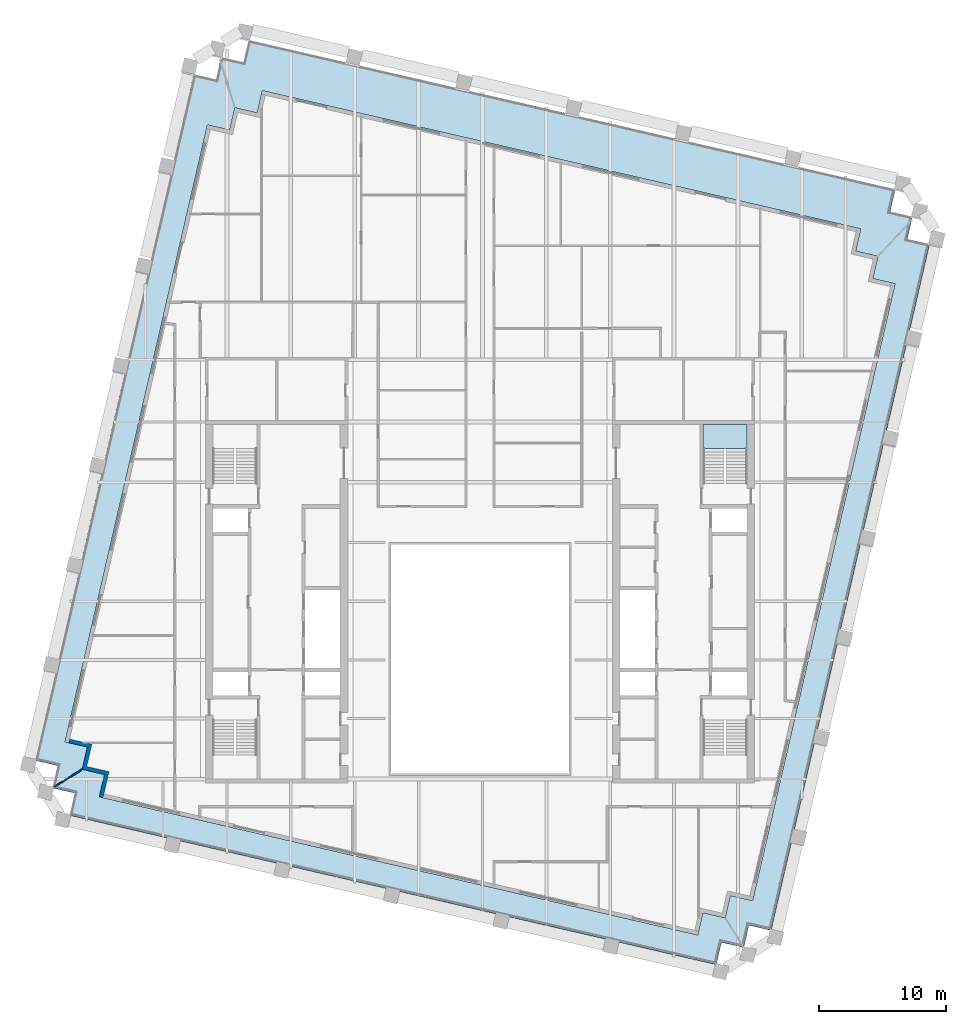
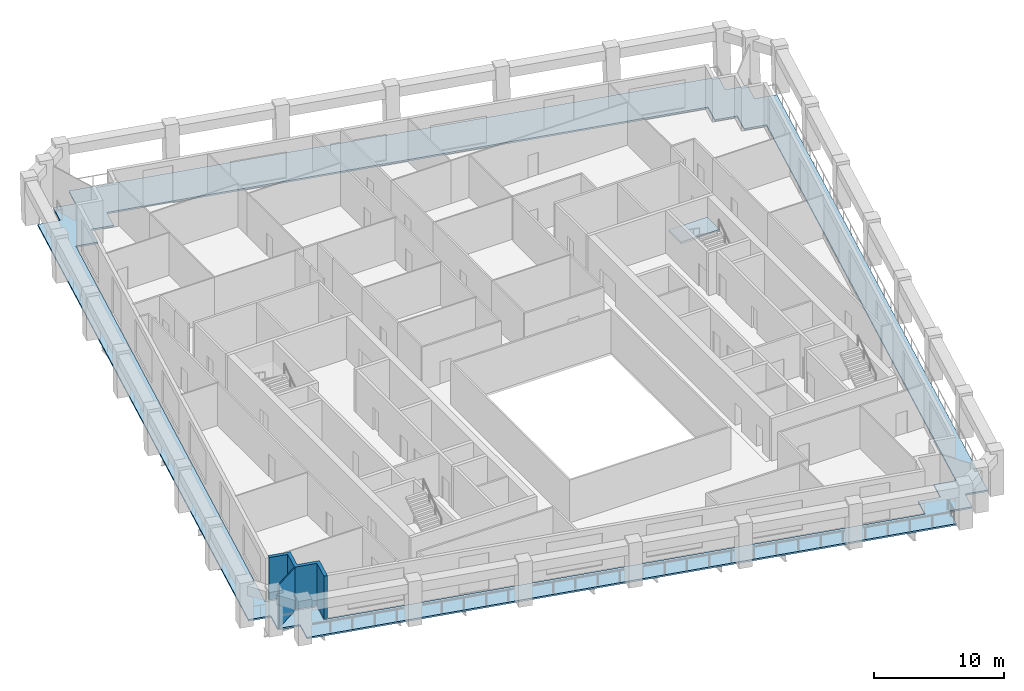
# One storey, part 3 of 10: 2 slabs, 2 walls, 1 element without a shape of its own.
"""IFC4 building model written with IfcOpenShell, lengths in metres."""

from ifc_helpers import new_model, si_unit, direction, frame, frame_2d, origin, place, context, subcontext, project, spatial, polyline, rectangle, outline, extrude, material, layer, layer_set, type_object, element, aggregate, save


model = new_model("IFC4")

# Units and contexts
model_context = context("Model", 3, precision=1e-05, world=origin(), true_north=direction((0.0, 1.0)))
body_context = subcontext(model_context, "Body", "Model", "MODEL_VIEW")
ifc_project = project(units=[si_unit("LENGTHUNIT", "METRE"), si_unit("AREAUNIT", "SQUARE_METRE"), si_unit("VOLUMEUNIT", "CUBIC_METRE"), si_unit("PLANEANGLEUNIT", "RADIAN"), si_unit("MASSUNIT", "GRAM", prefix="KILO")], contexts=[model_context])

# Site, building, storey
site_placement = place(None, origin())
site = spatial("IfcSite", under=ifc_project, at=site_placement, CompositionType="ELEMENT")
building_placement = place(site_placement, origin())
building = spatial("IfcBuilding", under=site, at=building_placement, Name="Ogive Exchange Tower", CompositionType="ELEMENT")
storey_placement = place(building_placement, frame((0.0, 0.0, 255.60009765625)))
storey = spatial("IfcBuildingStorey", under=building, at=storey_placement, Name="L55", CompositionType="ELEMENT", Elevation=255.60009765625)

# Slab
ifc_material_1 = material(Name="Concrete C50/60", Category="concrete")
ifc_layer_1 = layer(ifc_material_1, 0.14990234375)
ifc_layer_set_1 = layer_set([ifc_layer_1], Name="Loggia deck 150")
slab_type_1 = type_object("IfcSlabType", Name="Loggia deck 150", PredefinedType="FLOOR", material=ifc_layer_set_1)
slab_1_placement = place(storey_placement, frame((0.0, 0.0, -0.2001953125)))
element("IfcSlab", 1, at=slab_1_placement, inside=storey, type_object=slab_type_1, Name="Loggia deck", PredefinedType="FLOOR", context=body_context, shape_type="SweptSolid", body=[
    extrude(outline(polyline([(-31.8759765625, -3.54443359375), (-33.6298828125, -3.1396484375), (-33.224853515625, -1.3857421875), (-34.978759765625, -0.980712890625), (-22.5185546875, 52.990478515625), (-20.7646484375, 52.58544921875), (-20.359619140625, 54.33935546875), (-18.605712890625, 53.9345703125), (-18.200927734375, 55.6884765625), (32.6611328125, 43.94580078125), (32.25634765625, 42.192138671875), (34.010009765625, 41.787109375), (33.605224609375, 40.033203125), (35.359130859375, 39.62841796875), (22.89892578125, -14.343017578125), (21.14501953125, -13.93798828125), (20.739990234375, -15.69189453125), (18.986083984375, -15.286865234375), (18.581298828125, -17.040771484375), (-32.28076171875, -5.29833984375), (-31.8759765625, -3.54443359375)]), holes=[polyline([(17.52490234375, -12.9482421875), (19.27880859375, -13.353271484375), (19.68359375, -11.599365234375), (21.4375, -12.004150390625), (32.64013671875, 36.519287109375), (30.88623046875, 36.92431640625), (31.291015625, 38.67822265625), (29.537109375, 39.0830078125), (29.942138671875, 40.8369140625), (-17.119873046875, 51.7021484375), (-17.52490234375, 49.9482421875), (-19.27880859375, 50.353271484375), (-19.68359375, 48.599365234375), (-21.4375, 49.004150390625), (-32.64013671875, 0.480712890625), (-30.88623046875, 0.07568359375), (-31.291015625, -1.67822265625), (-29.537109375, -2.0830078125), (-29.942138671875, -3.8369140625), (17.119873046875, -14.7021484375), (17.52490234375, -12.9482421875)])]), origin(), (0.0, 0.0, 1.0), 0.150146484375),
])

# Stair, slab
ifc_material_2 = material(Name="Concrete C40/50", Category="concrete")
stair_type = type_object("IfcStairType", Name="Exit stair 1650 wide", PredefinedType="HALF_TURN_STAIR", material=ifc_material_2)
stair_placement = place(storey_placement, origin())
stair = element("IfcStair", 2, at=stair_placement, inside=storey, type_object=stair_type, Name="L55 exit stair ST4", PredefinedType="HALF_TURN_STAIR")
ifc_layer_2 = layer(ifc_material_2, 0.199951171875)
ifc_layer_set_2 = layer_set([ifc_layer_2], Name="Stair landing 200 slab")
slab_type_2 = type_object("IfcSlabType", Name="Stair landing 200 slab", PredefinedType="LANDING", material=ifc_layer_set_2)
slab_2_placement = place(storey_placement, frame((0.0, 0.0, 1.89990234375)))
slab_2 = element("IfcSlab", 3, at=slab_2_placement, type_object=slab_type_2, Name="ST4 landing 1", PredefinedType="LANDING", context=body_context, shape_type="SweptSolid", body=[
    extrude(outline(polyline([(21.0, 23.550048828125), (21.0, 25.449951171875), (17.550048828125, 25.449951171875), (17.550048828125, 23.550048828125), (21.0, 23.550048828125)])), origin(), (0.0, 0.0, 1.0), 0.199951171875),
])
aggregate(stair, [slab_2])

# Walls
ifc_material_3 = material(Name="Precast concrete C40/50", Category="concrete")
ifc_layer_3 = layer(ifc_material_3, 0.300048828125)
ifc_layer_set_3 = layer_set([ifc_layer_3], Name="Limestone-faced wall 300")
wall_type_1 = type_object("IfcWallType", Name="Limestone-faced wall 300", PredefinedType="STANDARD", material=ifc_layer_set_3)
wall_1_placement = place(storey_placement, origin())
element("IfcWall", 4, at=wall_1_placement, inside=storey, type_object=wall_type_1, Name="External corner wall C4", PredefinedType="STANDARD", context=body_context, shape_type="SweptSolid", body=[
    extrude(outline(polyline([(-31.291015625, -1.67822265625), (-30.88623046875, 0.07568359375), (-32.34765625, 0.4130859375), (-32.2802734375, 0.705322265625), (-30.5263671875, 0.300537109375), (-30.931396484375, -1.453369140625), (-29.177490234375, -1.8583984375), (-29.64990234375, -3.904541015625), (-29.942138671875, -3.8369140625), (-29.537109375, -2.0830078125), (-31.291015625, -1.67822265625)])), origin(), (0.0, 0.0, 1.0), 4.0),
])
ifc_material_4 = material(Name="Laminated safety glass in steel frame", Category="steel")
ifc_layer_4 = layer(ifc_material_4, 0.10009765625)
ifc_layer_set_4 = layer_set([ifc_layer_4], Name="Loggia end screen 100")
wall_type_2 = type_object("IfcWallType", Name="Loggia end screen 100", PredefinedType="STANDARD", material=ifc_layer_set_4)
wall_2_placement = place(storey_placement, frame((-31.291015625, -1.67822265625, -0.050048828125), z_axis=(0.0, 0.0, 1.0), x_axis=(-0.84807753525, -0.529872148923, 0.0)))
element("IfcWall", 5, at=wall_2_placement, inside=storey, type_object=wall_type_2, Name="Loggia end screen C4", PredefinedType="STANDARD", context=body_context, shape_type="SweptSolid", body=[
    extrude(rectangle(XDim=2.596435546875, YDim=0.10009765625, at=frame_2d((1.29833984375, 0.0))), origin(), (0.0, 0.0, 1.0), 4.050048828125),
])

save(model, "model.ifc")
